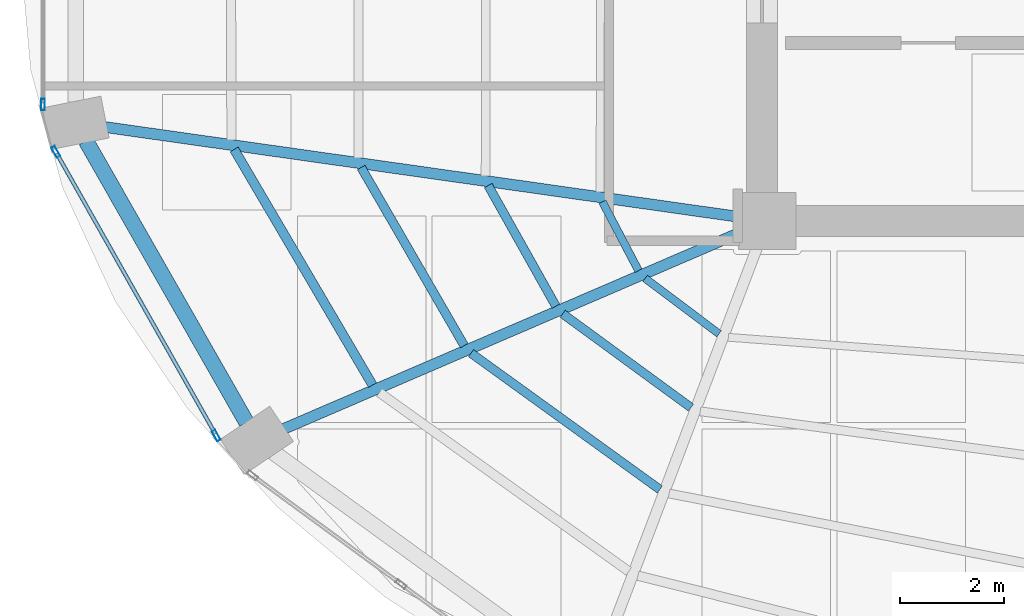
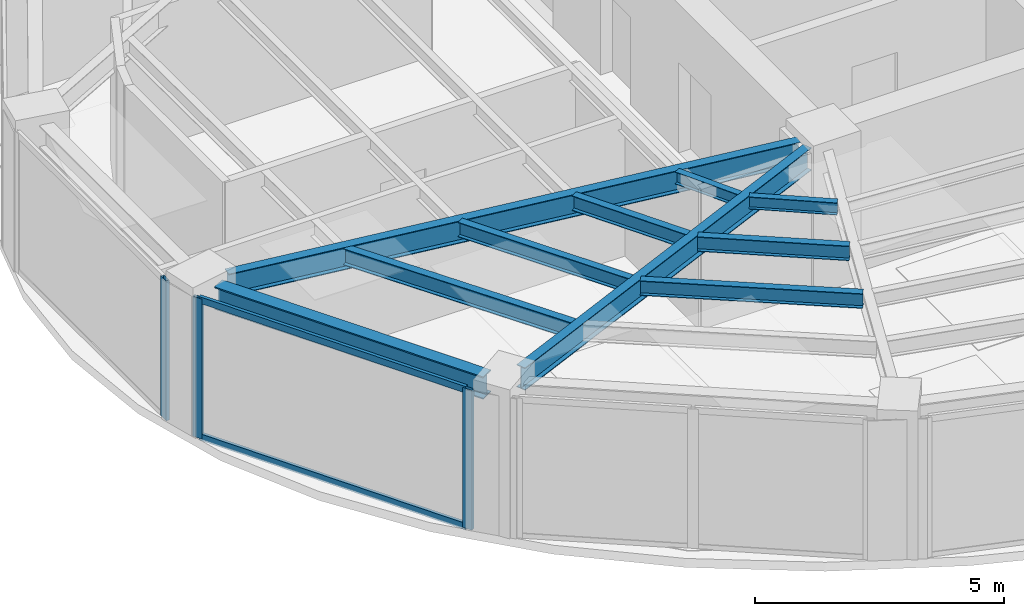
# One storey, part 3 of 19: 10 beams, 5 members, 2 elements without a shape of their own.
"""IFC4 building model written with IfcOpenShell, lengths in metres."""

from ifc_helpers import new_model, si_unit, direction, frame, origin, origin_2d, place, context, subcontext, project, spatial, hollow_rectangle, i_section, extrude, material, layer, layer_set, material_profile, profile_set, type_object, element, aggregate, save


model = new_model("IFC4")

# Units and contexts
model_context = context("Model", 3, precision=1e-05, world=origin(), true_north=direction((0.0, 1.0)))
body_context = subcontext(model_context, "Body", "Model", "MODEL_VIEW")
ifc_project = project(units=[si_unit("LENGTHUNIT", "METRE"), si_unit("AREAUNIT", "SQUARE_METRE"), si_unit("VOLUMEUNIT", "CUBIC_METRE"), si_unit("PLANEANGLEUNIT", "RADIAN"), si_unit("MASSUNIT", "GRAM", prefix="KILO")], contexts=[model_context])

# Site, building, storey
site_placement = place(None, origin())
site = spatial("IfcSite", under=ifc_project, at=site_placement, CompositionType="ELEMENT")
building_placement = place(site_placement, origin())
building = spatial("IfcBuilding", under=site, at=building_placement, Name="Lazwardi Medical Tower", CompositionType="ELEMENT")
storey_placement = place(building_placement, frame((0.0, 0.0, 167.471923828125)))
storey = spatial("IfcBuildingStorey", under=building, at=storey_placement, Name="L43", CompositionType="ELEMENT", Elevation=167.471923828125)

# Beams
ifc_material_1 = material(Name="Steel S355", Category="steel")
ifc_material_profile_1 = material_profile(ifc_material_1, i_section(OverallWidth=0.300048828125, OverallDepth=0.550048828125, WebThickness=0.014892578125, FlangeThickness=0.029052734375, at=origin_2d()), Name="HEB 550")
ifc_profile_set_1 = profile_set([ifc_material_profile_1], Name="Steel S355")
beam_type_1 = type_object("IfcBeamType", Name="BM-RB-Z3", PredefinedType="BEAM", material=ifc_profile_set_1)
beam_1_placement = place(storey_placement, frame((13.272216796875, 21.94091796875, 3.153076171875), z_axis=(0.495460926326, -0.868630226554, 0.0), x_axis=(0.868630226554, 0.495460926326, 0.0)))
element("IfcBeam", 1, at=beam_1_placement, inside=storey, type_object=beam_type_1, Name="Ring beam RB-04 B13 L43", PredefinedType="BEAM", context=body_context, shape_type="SweptSolid", body=[
    extrude(i_section(OverallWidth=0.300048828125, OverallDepth=0.550048828125, WebThickness=0.014892578125, FlangeThickness=0.029052734375, at=origin_2d()), origin(), (0.0, 0.0, 1.0), 6.24462890625),
])
ifc_material_profile_2 = material_profile(ifc_material_1, i_section(OverallWidth=0.2099609375, OverallDepth=0.550048828125, WebThickness=0.010986328125, FlangeThickness=0.01708984375, at=origin_2d()), Name="IPE 550")
ifc_profile_set_2 = profile_set([ifc_material_profile_2], Name="Steel S355")
beam_type_2 = type_object("IfcBeamType", Name="BM-RG-W2", PredefinedType="BEAM", material=ifc_profile_set_2)
beam_2_placement = place(storey_placement, frame((13.628662109375, 22.209716796875, 3.153076171875), z_axis=(0.99010958763, -0.140296131389, 0.0), x_axis=(0.140296131389, 0.99010958763, 0.0)))
element("IfcBeam", 2, at=beam_2_placement, inside=storey, type_object=beam_type_2, Name="Radial girder RG-03 R13 L43", PredefinedType="BEAM", context=body_context, shape_type="SweptSolid", body=[
    extrude(i_section(OverallWidth=0.2099609375, OverallDepth=0.550048828125, WebThickness=0.010986328125, FlangeThickness=0.01708984375, at=origin_2d()), origin(), (0.0, 0.0, 1.0), 12.364013671875),
])
beam_3_placement = place(storey_placement, frame((17.078857421875, 16.390380859375, 3.153076171875), z_axis=(0.918608156288, 0.395169653695, 0.0), x_axis=(-0.395169653695, 0.918608156288, 0.0)))
element("IfcBeam", 3, at=beam_3_placement, inside=storey, type_object=beam_type_2, Name="Radial girder RG-03 R14 L43", PredefinedType="BEAM", context=body_context, shape_type="SweptSolid", body=[
    extrude(i_section(OverallWidth=0.2099609375, OverallDepth=0.550048828125, WebThickness=0.010986328125, FlangeThickness=0.01708984375, at=origin_2d()), origin(), (0.0, 0.0, 1.0), 9.61181640625),
])
ifc_material_profile_3 = material_profile(ifc_material_1, i_section(OverallWidth=0.179931640625, OverallDepth=0.39990234375, WebThickness=0.008544921875, FlangeThickness=0.013427734375, at=origin_2d()), Name="IPE 400")
ifc_profile_set_3 = profile_set([ifc_material_profile_3], Name="Steel S355")
beam_type_3 = type_object("IfcBeamType", Name="BM-SJ-01", PredefinedType="JOIST", material=ifc_profile_set_3)
beam_4_placement = place(storey_placement, frame((16.127685546875, 21.776611328125, 3.22802734375), z_axis=(0.506420212881, -0.862286824662, 0.0), x_axis=(0.862286824662, 0.506420212881, 0.0)))
element("IfcBeam", 4, at=beam_4_placement, inside=storey, type_object=beam_type_3, Name="Secondary joist SJ-01 R1 B13 L43", PredefinedType="JOIST", context=body_context, shape_type="SweptSolid", body=[
    extrude(i_section(OverallWidth=0.179931640625, OverallDepth=0.39990234375, WebThickness=0.008544921875, FlangeThickness=0.013427734375, at=origin_2d()), origin(), (0.0, 0.0, 1.0), 5.265380859375),
])
ifc_material_profile_4 = material_profile(ifc_material_1, i_section(OverallWidth=0.169921875, OverallDepth=0.360107421875, WebThickness=0.008056640625, FlangeThickness=0.0126953125, at=origin_2d()), Name="IPE 360")
ifc_profile_set_4 = profile_set([ifc_material_profile_4], Name="Steel S355")
beam_type_4 = type_object("IfcBeamType", Name="BM-SJ-02", PredefinedType="JOIST", material=ifc_profile_set_4)
beam_5_placement = place(storey_placement, frame((18.5751953125, 21.42919921875, 3.248046875), z_axis=(0.500640648605, -0.865655209055, 0.0), x_axis=(0.865655209055, 0.500640648605, 0.0)))
element("IfcBeam", 5, at=beam_5_placement, inside=storey, type_object=beam_type_4, Name="Secondary joist SJ-02 R2 B13 L43", PredefinedType="JOIST", context=body_context, shape_type="SweptSolid", body=[
    extrude(i_section(OverallWidth=0.169921875, OverallDepth=0.360107421875, WebThickness=0.008056640625, FlangeThickness=0.0126953125, at=origin_2d()), origin(), (0.0, 0.0, 1.0), 3.965576171875),
])
beam_6_placement = place(storey_placement, frame((20.69189453125, 17.851318359375, 3.248046875), z_axis=(0.810738039179, -0.585409114917, 0.0), x_axis=(0.585409114917, 0.810738039179, 0.0)))
element("IfcBeam", 6, at=beam_6_placement, inside=storey, type_object=beam_type_4, Name="Secondary joist SJ-02 R2 B14 L43", PredefinedType="JOIST", context=body_context, shape_type="SweptSolid", body=[
    extrude(i_section(OverallWidth=0.169921875, OverallDepth=0.360107421875, WebThickness=0.008056640625, FlangeThickness=0.0126953125, at=origin_2d()), origin(), (0.0, 0.0, 1.0), 4.48779296875),
])
beam_7_placement = place(storey_placement, frame((21.022705078125, 21.081787109375, 3.248046875), z_axis=(0.489408945026, -0.872054404569, 0.0), x_axis=(0.872054404569, 0.489408945026, 0.0)))
element("IfcBeam", 7, at=beam_7_placement, inside=storey, type_object=beam_type_4, Name="Secondary joist SJ-02 R3 B13 L43", PredefinedType="JOIST", context=body_context, shape_type="SweptSolid", body=[
    extrude(i_section(OverallWidth=0.169921875, OverallDepth=0.360107421875, WebThickness=0.008056640625, FlangeThickness=0.0126953125, at=origin_2d()), origin(), (0.0, 0.0, 1.0), 2.666259765625),
])
beam_8_placement = place(storey_placement, frame((22.45751953125, 18.6103515625, 3.248046875), z_axis=(0.807285959008, -0.590160470033, 0.0), x_axis=(0.590160470033, 0.807285959008, 0.0)))
element("IfcBeam", 8, at=beam_8_placement, inside=storey, type_object=beam_type_4, Name="Secondary joist SJ-02 R3 B14 L43", PredefinedType="JOIST", context=body_context, shape_type="SweptSolid", body=[
    extrude(i_section(OverallWidth=0.169921875, OverallDepth=0.360107421875, WebThickness=0.008056640625, FlangeThickness=0.0126953125, at=origin_2d()), origin(), (0.0, 0.0, 1.0), 3.06298828125),
])
ifc_material_profile_5 = material_profile(ifc_material_1, i_section(OverallWidth=0.14990234375, OverallDepth=0.300048828125, WebThickness=0.007080078125, FlangeThickness=0.0107421875, at=origin_2d()), Name="IPE 300")
ifc_profile_set_5 = profile_set([ifc_material_profile_5], Name="Steel S355")
beam_type_5 = type_object("IfcBeamType", Name="BM-SJ-03", PredefinedType="JOIST", material=ifc_profile_set_5)
beam_9_placement = place(storey_placement, frame((23.2236328125, 20.768310546875, 3.278076171875), z_axis=(0.464469748171, -0.885588986513, 0.0), x_axis=(0.885588986513, 0.464469748171, 0.0)))
element("IfcBeam", 9, at=beam_9_placement, inside=storey, type_object=beam_type_5, Name="Secondary joist SJ-03 R4 B13 L43", PredefinedType="JOIST", context=body_context, shape_type="SweptSolid", body=[
    extrude(i_section(OverallWidth=0.14990234375, OverallDepth=0.300048828125, WebThickness=0.007080078125, FlangeThickness=0.0107421875, at=origin_2d()), origin(), (0.0, 0.0, 1.0), 1.498046875),
])
beam_10_placement = place(storey_placement, frame((24.0458984375, 19.29296875, 3.278076171875), z_axis=(0.799884834751, -0.600153522972, 0.0), x_axis=(0.600153522972, 0.799884834751, 0.0)))
element("IfcBeam", 10, at=beam_10_placement, inside=storey, type_object=beam_type_5, Name="Secondary joist SJ-03 R4 B14 L43", PredefinedType="JOIST", context=body_context, shape_type="SweptSolid", body=[
    extrude(i_section(OverallWidth=0.14990234375, OverallDepth=0.300048828125, WebThickness=0.007080078125, FlangeThickness=0.0107421875, at=origin_2d()), origin(), (0.0, 0.0, 1.0), 1.781005859375),
])

# Curtain wall, member
ifc_material_2 = material(Name="Anodised bronze aluminium and solar control glazing", Category="aluminium")
ifc_layer = layer(ifc_material_2, 0.195068359375)
ifc_layer_set = layer_set([ifc_layer], Name="Anodised bronze aluminium and solar control glazing")
curtain_wall_type = type_object("IfcCurtainWallType", Name="CW-SYS-03", PredefinedType="NOTDEFINED", material=ifc_layer_set)
curtain_wall_1_placement = place(storey_placement, origin())
curtain_wall_1 = element("IfcCurtainWall", 11, at=curtain_wall_1_placement, inside=storey, type_object=curtain_wall_type, Name="L43 Unitised bronze curtain wall CW-03", PredefinedType="NOTDEFINED")
ifc_material_3 = material(Name="Anodised bronze aluminium", Category="aluminium")
ifc_material_profile_6 = material_profile(ifc_material_3, hollow_rectangle(XDim=0.074951171875, YDim=0.219970703125, WallThickness=0.00390625, at=origin_2d()), Name="ALU-MULLION 220x75x4")
ifc_profile_set_6 = profile_set([ifc_material_profile_6], Name="Anodised bronze aluminium")
member_type_1 = type_object("IfcMemberType", Name="CW-MUL-01", PredefinedType="MULLION", material=ifc_profile_set_6)
member_1_placement = place(storey_placement, frame((12.4423828125, 22.64208984375, 0.0), z_axis=(0.0, 0.0, 1.0), x_axis=(1.0, 0.0, 0.0)))
member_1 = element("IfcMember", 12, at=member_1_placement, type_object=member_type_1, Name="CW-03 mullion 2", PredefinedType="MULLION", context=body_context, shape_type="SweptSolid", body=[
    extrude(hollow_rectangle(XDim=0.074951171875, YDim=0.219970703125, WallThickness=0.00390625, at=origin_2d()), origin(), (0.0, 0.0, 1.0), 3.427978515625),
])
aggregate(curtain_wall_1, [member_1])

# Curtain wall, members
curtain_wall_2_placement = place(storey_placement, origin())
curtain_wall_2 = element("IfcCurtainWall", 13, at=curtain_wall_2_placement, inside=storey, type_object=curtain_wall_type, Name="L43 Unitised bronze curtain wall CW-03", PredefinedType="NOTDEFINED")
member_2_placement = place(storey_placement, frame((12.68896484375, 21.732666015625, 0.0), z_axis=(0.0, 0.0, 1.0), x_axis=(0.870418989303, 0.492311672683, 0.0)))
member_2 = element("IfcMember", 14, at=member_2_placement, type_object=member_type_1, Name="CW-03 mullion 1", PredefinedType="MULLION", context=body_context, shape_type="SweptSolid", body=[
    extrude(hollow_rectangle(XDim=0.074951171875, YDim=0.219970703125, WallThickness=0.00390625, at=origin_2d()), origin(), (0.0, 0.0, 1.0), 3.427978515625),
])
member_3_placement = place(storey_placement, frame((15.782470703125, 16.26318359375, 0.0), z_axis=(0.0, 0.0, 1.0), x_axis=(0.870418989303, 0.492311672683, 0.0)))
member_3 = element("IfcMember", 15, at=member_3_placement, type_object=member_type_1, Name="CW-03 mullion 2", PredefinedType="MULLION", context=body_context, shape_type="SweptSolid", body=[
    extrude(hollow_rectangle(XDim=0.074951171875, YDim=0.219970703125, WallThickness=0.00390625, at=origin_2d()), origin(), (0.0, 0.0, 1.0), 3.427978515625),
])
ifc_material_profile_7 = material_profile(ifc_material_3, hollow_rectangle(XDim=0.074951171875, YDim=0.159912109375, WallThickness=0.00390625, at=origin_2d()), Name="ALU-TRANSOM 160x75x4")
ifc_profile_set_7 = profile_set([ifc_material_profile_7], Name="Anodised bronze aluminium")
member_type_2 = type_object("IfcMemberType", Name="CW-TRN-01", PredefinedType="USERDEFINED", material=ifc_profile_set_7)
member_4_placement = place(storey_placement, frame((12.707275390625, 21.7001953125, 0.03759765625), z_axis=(0.492306010269, -0.870422191958, 0.0), x_axis=(0.870422191958, 0.492306010269, 0.0)))
member_4 = element("IfcMember", 16, at=member_4_placement, type_object=member_type_2, Name="CW-03 transom 1.1", ObjectType="TRANSOM", PredefinedType="USERDEFINED", context=body_context, shape_type="SweptSolid", body=[
    extrude(hollow_rectangle(XDim=0.074951171875, YDim=0.159912109375, WallThickness=0.00390625, at=origin_2d()), origin(), (0.0, 0.0, 1.0), 6.208740234375),
])
member_5_placement = place(storey_placement, frame((12.707275390625, 21.7001953125, 3.390625), z_axis=(0.492306010269, -0.870422191958, 0.0), x_axis=(0.870422191958, 0.492306010269, 0.0)))
member_5 = element("IfcMember", 17, at=member_5_placement, type_object=member_type_2, Name="CW-03 transom 1.2", ObjectType="TRANSOM", PredefinedType="USERDEFINED", context=body_context, shape_type="SweptSolid", body=[
    extrude(hollow_rectangle(XDim=0.074951171875, YDim=0.159912109375, WallThickness=0.00390625, at=origin_2d()), origin(), (0.0, 0.0, 1.0), 6.208740234375),
])
aggregate(curtain_wall_2, [member_2, member_3, member_4, member_5])

save(model, "model.ifc")
